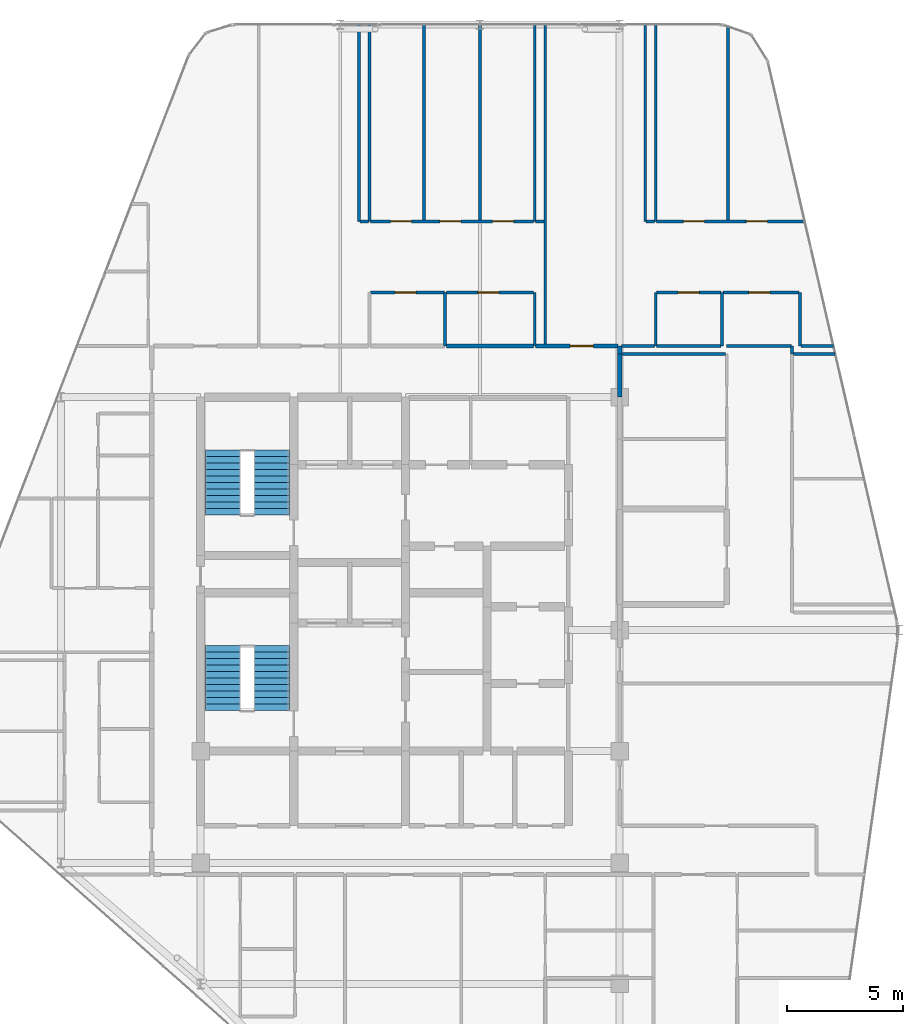
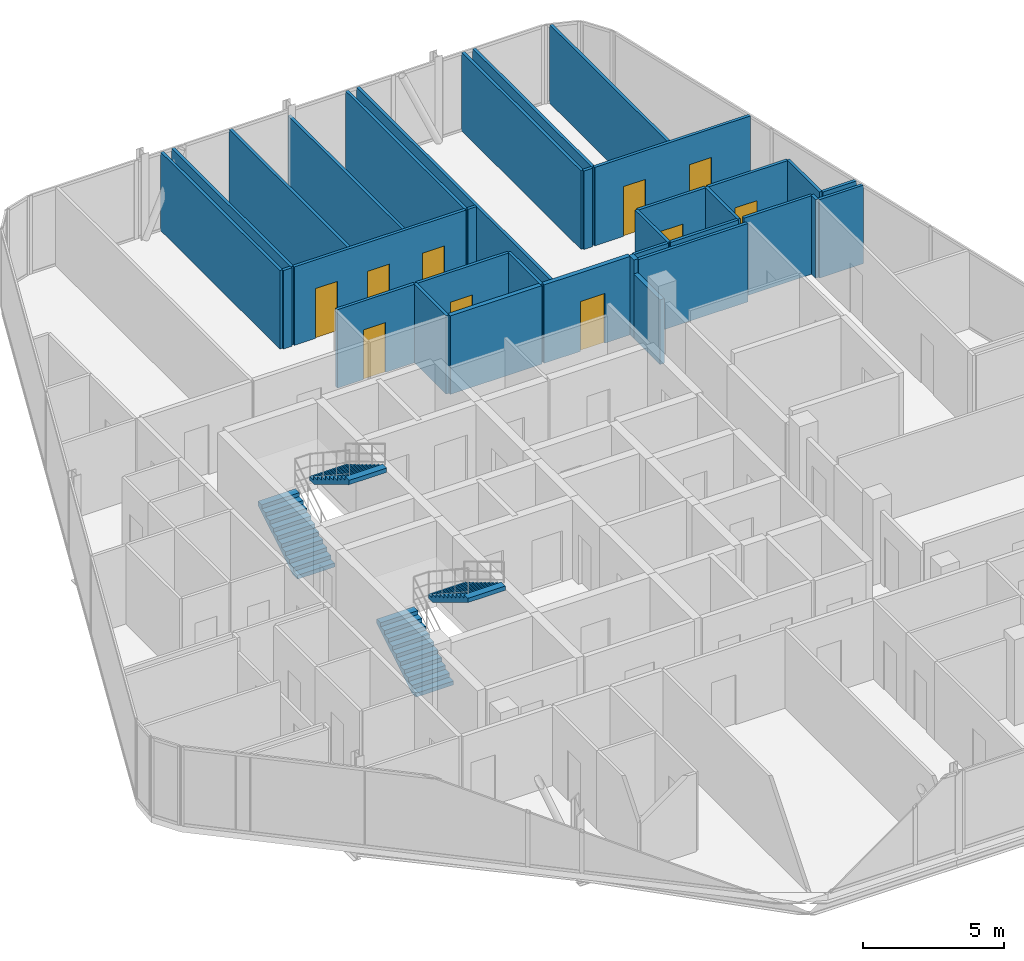
# One storey, part 26 of 27: 34 walls, 10 doors, 4 stair flights, 10 openings, 2 elements without a shape of their own.
"""IFC4 building model written with IfcOpenShell, lengths in metres."""

from ifc_helpers import new_model, si_unit, direction, frame, frame_2d, origin, place, context, subcontext, project, spatial, polyline, rectangle, outline, extrude, material, layer, layer_set, type_object, element, fill, aggregate, save


model = new_model("IFC4")

# Units and contexts
model_context = context("Model", 3, precision=1e-05, world=origin(), true_north=direction((0.0, 1.0)))
body_context = subcontext(model_context, "Body", "Model", "MODEL_VIEW")
ifc_project = project(units=[si_unit("LENGTHUNIT", "METRE"), si_unit("AREAUNIT", "SQUARE_METRE"), si_unit("VOLUMEUNIT", "CUBIC_METRE"), si_unit("PLANEANGLEUNIT", "RADIAN"), si_unit("MASSUNIT", "GRAM", prefix="KILO")], contexts=[model_context])

# Site, building, storey
site_placement = place(None, origin())
site = spatial("IfcSite", under=ifc_project, at=site_placement, CompositionType="ELEMENT")
building_placement = place(site_placement, origin())
building = spatial("IfcBuilding", under=site, at=building_placement, Name="Keshet Zoharim Tower", CompositionType="ELEMENT")
storey_placement = place(building_placement, frame((0.0, 0.0, 262.10009765625)))
storey = spatial("IfcBuildingStorey", under=building, at=storey_placement, Name="L65", CompositionType="ELEMENT", Elevation=262.10009765625)

# Walls
ifc_material_1 = material(Name="Gypsum Plasterboard", Category="gypsum")
ifc_layer_1 = layer(ifc_material_1, 0.179931640625)
ifc_layer_set_1 = layer_set([ifc_layer_1], Name="Gypsum Plasterboard")
wall_type_1 = type_object("IfcWallType", Name="WL-CORR-180", PredefinedType="STANDARD", material=ifc_layer_set_1)
wall_1_placement = place(storey_placement, frame((33.0, 39.75, 0.0), z_axis=(0.0, 0.0, 1.0), x_axis=(0.0, 1.0, 0.0)))
element("IfcWall", 1, at=wall_1_placement, inside=storey, type_object=wall_type_1, Name="L65 Interior Wall 076", PredefinedType="STANDARD", context=body_context, shape_type="SweptSolid", body=[
    extrude(rectangle(XDim=0.35009765625, YDim=0.179931640625, at=frame_2d((0.175048828125, 0.0))), origin(), (0.0, 0.0, 1.0), 3.389892578125),
])
wall_2_placement = place(storey_placement, frame((25.56103515625, 40.10009765625, 0.0), z_axis=(0.0, 0.0, 1.0), x_axis=(1.0, 0.0, 0.0)))
element("IfcWall", 2, at=wall_2_placement, inside=storey, type_object=wall_type_1, Name="L65 Interior Wall 168", PredefinedType="STANDARD", context=body_context, shape_type="SweptSolid", body=[
    extrude(rectangle(XDim=3.743896484375, YDim=0.179931640625, at=frame_2d((1.8720703125, 0.0))), origin(), (0.0, 0.0, 1.0), 3.389892578125),
])

# Wall, opening, door
wall_3_placement = place(storey_placement, frame((29.39501953125, 40.10009765625, 0.0), z_axis=(0.0, 0.0, 1.0), x_axis=(1.0, 0.0, 0.0)))
wall_3 = element("IfcWall", 3, at=wall_3_placement, inside=storey, type_object=wall_type_1, Name="L65 Interior Wall 169", PredefinedType="STANDARD", context=body_context, shape_type="SweptSolid", body=[
    extrude(rectangle(XDim=3.530029296875, YDim=0.179931640625, at=frame_2d((1.76513671875, 0.0))), origin(), (0.0, 0.0, 1.0), 3.389892578125),
])
opening_1_placement = place(wall_3_placement, frame((1.47998046875, 0.0, 0.0)))
opening_1 = element("IfcOpeningElement", 4, at=opening_1_placement, cuts=wall_3, Name="Opening D-F310", PredefinedType="OPENING", context=body_context, shape_type="SweptSolid", body=[
    extrude(rectangle(XDim=1.0, YDim=2.14990234375, at=frame_2d((0.5, 1.074951171875))), frame((0.0, 0.10009765625, 0.0), z_axis=(0.0, -1.0, 0.0), x_axis=(1.0, 0.0, 0.0)), (0.0, 0.0, 1.0), 0.199951171875),
])
ifc_material_2 = material(Name="Hardwood Timber", Category="wood")
door_type_1 = type_object("IfcDoorType", Name="DR-FD30-100", OperationType="NOTDEFINED", PredefinedType="DOOR", material=ifc_material_2)
door_1_placement = place(opening_1_placement, origin())
door_1 = element("IfcDoor", 5, at=door_1_placement, inside=storey, type_object=door_type_1, Name="Apartment 6506 Entrance Door", OperationType="SINGLE_SWING_LEFT", OverallHeight=2.14990234375, OverallWidth=1.0, PredefinedType="DOOR", context=body_context, shape_type="SweptSolid", body=[
    extrude(rectangle(XDim=1.0, YDim=2.14990234375, at=frame_2d((0.5, 1.074951171875))), frame((0.0, 0.02490234375, 0.0), z_axis=(0.0, -1.0, 0.0), x_axis=(1.0, 0.0, 0.0)), (0.0, 0.0, 1.0), 0.050048828125),
])
fill(opening_1, door_1)

# Walls
wall_4_placement = place(storey_placement, frame((33.0, 37.89990234375, 0.0), z_axis=(0.0, 0.0, 1.0), x_axis=(0.0, 1.0, 0.0)))
element("IfcWall", 6, at=wall_4_placement, inside=storey, type_object=wall_type_1, Name="L65 Interior Wall 075 Part 2", PredefinedType="STANDARD", context=body_context, shape_type="SweptSolid", body=[
    extrude(rectangle(XDim=1.85009765625, YDim=0.179931640625, at=frame_2d((0.925048828125, 0.0))), origin(), (0.0, 0.0, 1.0), 2.789794921875),
])
ifc_layer_2 = layer(ifc_material_1, 0.1201171875)
ifc_layer_set_2 = layer_set([ifc_layer_2], Name="Gypsum Plasterboard")
wall_type_2 = type_object("IfcWallType", Name="WL-PART-120", PredefinedType="PARTITIONING", material=ifc_layer_set_2)
for number, where, z_axis, x_axis, name in (
    (7, (21.800048828125, 45.449951171875, 0.0), (0.0, 0.0, 1.0), (0.0, 1.0, 0.0), "L65 Interior Wall 038"),
    (8, (22.25, 45.449951171875, 0.0), (0.0, 0.0, 1.0), (0.0, 1.0, 0.0), "L65 Interior Wall 040"),
    (9, (24.60009765625, 45.449951171875, 0.0), (0.0, 0.0, 1.0), (0.0, 1.0, 0.0), "L65 Interior Wall 048"),
):
    element("IfcWall", number, at=place(storey_placement, frame(where, z_axis=z_axis, x_axis=x_axis)), inside=storey, type_object=wall_type_2, Name=name, PredefinedType="PARTITIONING", context=body_context, shape_type="SweptSolid", body=[
        extrude(rectangle(XDim=8.43994140625, YDim=0.1201171875, at=frame_2d((4.219970703125, 0.0))), origin(), (0.0, 0.0, 1.0), 3.389892578125),
    ])
wall_5_placement = place(storey_placement, frame((27.0, 45.449951171875, 0.0), z_axis=(0.0, 0.0, 1.0), x_axis=(0.0, 1.0, 0.0)))
element("IfcWall", 10, at=wall_5_placement, inside=storey, type_object=wall_type_2, Name="L65 Interior Wall 053", PredefinedType="PARTITIONING", context=body_context, shape_type="SweptSolid", body=[
    extrude(rectangle(XDim=8.43994140625, YDim=0.1201171875, at=frame_2d((4.219970703125, 0.0))), origin(), (0.0, 0.0, 1.0), 3.14990234375),
])
wall_6_placement = place(storey_placement, frame((29.35009765625, 45.449951171875, 0.0), z_axis=(0.0, 0.0, 1.0), x_axis=(0.0, 1.0, 0.0)))
element("IfcWall", 11, at=wall_6_placement, inside=storey, type_object=wall_type_2, Name="L65 Interior Wall 060", PredefinedType="PARTITIONING", context=body_context, shape_type="SweptSolid", body=[
    extrude(rectangle(XDim=8.43994140625, YDim=0.1201171875, at=frame_2d((4.219970703125, 0.0))), origin(), (0.0, 0.0, 1.0), 3.389892578125),
])
wall_7_placement = place(storey_placement, frame((29.800048828125, 40.10009765625, 0.0), z_axis=(0.0, 0.0, 1.0), x_axis=(0.0, 1.0, 0.0)))
element("IfcWall", 12, at=wall_7_placement, inside=storey, type_object=wall_type_2, Name="L65 Interior Wall 064", PredefinedType="PARTITIONING", context=body_context, shape_type="SweptSolid", body=[
    extrude(rectangle(XDim=13.789794921875, YDim=0.1201171875, at=frame_2d((6.89501953125, 0.0))), origin(), (0.0, 0.0, 1.0), 3.389892578125),
])
wall_8_placement = place(storey_placement, frame((34.10009765625, 45.449951171875, 0.0), z_axis=(0.0, 0.0, 1.0), x_axis=(0.0, 1.0, 0.0)))
element("IfcWall", 13, at=wall_8_placement, inside=storey, type_object=wall_type_2, Name="L65 Interior Wall 077", PredefinedType="PARTITIONING", context=body_context, shape_type="SweptSolid", body=[
    extrude(rectangle(XDim=8.43994140625, YDim=0.1201171875, at=frame_2d((4.219970703125, 0.0))), origin(), (0.0, 0.0, 1.0), 3.389892578125),
])
wall_9_placement = place(storey_placement, frame((34.550048828125, 40.10009765625, 0.0), z_axis=(0.0, 0.0, 1.0), x_axis=(0.0, 1.0, 0.0)))
element("IfcWall", 14, at=wall_9_placement, inside=storey, type_object=wall_type_2, Name="L65 Interior Wall 081", PredefinedType="PARTITIONING", context=body_context, shape_type="SweptSolid", body=[
    extrude(rectangle(XDim=2.2998046875, YDim=0.1201171875, at=frame_2d((1.14990234375, 0.0))), origin(), (0.0, 0.0, 1.0), 3.389892578125),
])
wall_10_placement = place(storey_placement, frame((34.550048828125, 45.449951171875, 0.0), z_axis=(0.0, 0.0, 1.0), x_axis=(0.0, 1.0, 0.0)))
element("IfcWall", 15, at=wall_10_placement, inside=storey, type_object=wall_type_2, Name="L65 Interior Wall 082", PredefinedType="PARTITIONING", context=body_context, shape_type="SweptSolid", body=[
    extrude(rectangle(XDim=8.43994140625, YDim=0.1201171875, at=frame_2d((4.219970703125, 0.0))), origin(), (0.0, 0.0, 1.0), 3.389892578125),
])
wall_11_placement = place(storey_placement, frame((37.64990234375, 45.449951171875, 0.0), z_axis=(0.0, 0.0, 1.0), x_axis=(0.0, 1.0, 0.0)))
element("IfcWall", 16, at=wall_11_placement, inside=storey, type_object=wall_type_2, Name="L65 Interior Wall 087", PredefinedType="PARTITIONING", context=body_context, shape_type="SweptSolid", body=[
    extrude(rectangle(XDim=8.35595703125, YDim=0.1201171875, at=frame_2d((4.177978515625, 0.0))), origin(), (0.0, 0.0, 1.0), 3.389892578125),
])
wall_12_placement = place(storey_placement, frame((40.39990234375, 39.75, 0.0), z_axis=(0.0, 0.0, 1.0), x_axis=(0.0, 1.0, 0.0)))
element("IfcWall", 17, at=wall_12_placement, inside=storey, type_object=wall_type_2, Name="L65 Interior Wall 093", PredefinedType="PARTITIONING", context=body_context, shape_type="SweptSolid", body=[
    extrude(rectangle(XDim=0.35009765625, YDim=0.1201171875, at=frame_2d((0.175048828125, 0.0))), origin(), (0.0, 0.0, 1.0), 3.389892578125),
])
wall_13_placement = place(storey_placement, frame((33.074951171875, 39.75, 0.0), z_axis=(0.0, 0.0, 1.0), x_axis=(1.0, 0.0, 0.0)))
element("IfcWall", 18, at=wall_13_placement, inside=storey, type_object=wall_type_2, Name="L65 Interior Wall 162", PredefinedType="PARTITIONING", context=body_context, shape_type="SweptSolid", body=[
    extrude(rectangle(XDim=4.4599609375, YDim=0.1201171875, at=frame_2d((2.22998046875, 0.0))), origin(), (0.0, 0.0, 1.0), 3.389892578125),
])
wall_14_placement = place(storey_placement, frame((40.465087890625, 39.75, 0.0), z_axis=(0.0, 0.0, 1.0), x_axis=(1.0, 0.0, 0.0)))
element("IfcWall", 19, at=wall_14_placement, inside=storey, type_object=wall_type_2, Name="L65 Interior Wall 163", PredefinedType="PARTITIONING", context=body_context, shape_type="SweptSolid", body=[
    extrude(rectangle(XDim=1.789794921875, YDim=0.1201171875, at=frame_2d((0.89501953125, 0.0))), origin(), (0.0, 0.0, 1.0), 3.389892578125),
])
wall_15_placement = place(storey_placement, frame((33.074951171875, 40.10009765625, 0.0), z_axis=(0.0, 0.0, 1.0), x_axis=(1.0, 0.0, 0.0)))
element("IfcWall", 20, at=wall_15_placement, inside=storey, type_object=wall_type_2, Name="L65 Interior Wall 170", PredefinedType="PARTITIONING", context=body_context, shape_type="SweptSolid", body=[
    extrude(rectangle(XDim=1.41015625, YDim=0.1201171875, at=frame_2d((0.705078125, 0.0))), origin(), (0.0, 0.0, 1.0), 3.389892578125),
])
wall_16_placement = place(storey_placement, frame((34.574951171875, 40.10009765625, 0.0), z_axis=(0.0, 0.0, 1.0), x_axis=(1.0, 0.0, 0.0)))
element("IfcWall", 21, at=wall_16_placement, inside=storey, type_object=wall_type_2, Name="L65 Interior Wall 171", PredefinedType="PARTITIONING", context=body_context, shape_type="SweptSolid", body=[
    extrude(rectangle(XDim=2.77197265625, YDim=0.1201171875, at=frame_2d((1.385986328125, 0.0))), origin(), (0.0, 0.0, 1.0), 3.389892578125),
])
wall_17_placement = place(storey_placement, frame((40.7958984375, 40.10009765625, 0.0), z_axis=(0.0, 0.0, 1.0), x_axis=(1.0, 0.0, 0.0)))
element("IfcWall", 22, at=wall_17_placement, inside=storey, type_object=wall_type_2, Name="L65 Interior Wall 173", PredefinedType="PARTITIONING", context=body_context, shape_type="SweptSolid", body=[
    extrude(rectangle(XDim=1.379150390625, YDim=0.1201171875, at=frame_2d((0.689453125, 0.0))), origin(), (0.0, 0.0, 1.0), 3.389892578125),
])

# Wall, opening, door
wall_18_placement = place(storey_placement, frame((22.294921875, 42.39990234375, 0.0), z_axis=(0.0, 0.0, 1.0), x_axis=(1.0, 0.0, 0.0)))
wall_18 = element("IfcWall", 23, at=wall_18_placement, inside=storey, type_object=wall_type_2, Name="L65 Interior Wall 174", PredefinedType="PARTITIONING", context=body_context, shape_type="SweptSolid", body=[
    extrude(rectangle(XDim=3.176025390625, YDim=0.1201171875, at=frame_2d((1.587890625, 0.0))), origin(), (0.0, 0.0, 1.0), 3.389892578125),
])
opening_2_placement = place(wall_18_placement, frame((1.06591796875, 0.0, 0.0)))
opening_2 = element("IfcOpeningElement", 24, at=opening_2_placement, cuts=wall_18, Name="Opening D-IN90", PredefinedType="OPENING", context=body_context, shape_type="SweptSolid", body=[
    extrude(rectangle(XDim=0.89990234375, YDim=2.14990234375, at=frame_2d((0.449951171875, 1.074951171875))), frame((0.0, 0.070068359375, 0.0), z_axis=(0.0, -1.0, 0.0), x_axis=(1.0, 0.0, 0.0)), (0.0, 0.0, 1.0), 0.14013671875),
])
door_type_2 = type_object("IfcDoorType", Name="DR-INT-090", OperationType="NOTDEFINED", PredefinedType="DOOR", material=ifc_material_2)
door_2_placement = place(opening_2_placement, origin())
door_2 = element("IfcDoor", 25, at=door_2_placement, inside=storey, type_object=door_type_2, Name="Apartment 6505 Kitchen Door", OperationType="SINGLE_SWING_RIGHT", OverallHeight=2.14990234375, OverallWidth=0.89990234375, PredefinedType="DOOR", context=body_context, shape_type="SweptSolid", body=[
    extrude(rectangle(XDim=0.89990234375, YDim=2.14990234375, at=frame_2d((0.449951171875, 1.074951171875))), frame((0.0, 0.02490234375, 0.0), z_axis=(0.0, -1.0, 0.0), x_axis=(1.0, 0.0, 0.0)), (0.0, 0.0, 1.0), 0.050048828125),
])
fill(opening_2, door_2)

wall_19_placement = place(storey_placement, frame((34.574951171875, 42.39990234375, 0.0), z_axis=(0.0, 0.0, 1.0), x_axis=(1.0, 0.0, 0.0)))
wall_19 = element("IfcWall", 26, at=wall_19_placement, inside=storey, type_object=wall_type_2, Name="L65 Interior Wall 176", PredefinedType="PARTITIONING", context=body_context, shape_type="SweptSolid", body=[
    extrude(rectangle(XDim=2.77197265625, YDim=0.1201171875, at=frame_2d((1.385986328125, 0.0))), origin(), (0.0, 0.0, 1.0), 3.389892578125),
])
opening_3_placement = place(wall_19_placement, frame((0.93603515625, 0.0, 0.0)))
opening_3 = element("IfcOpeningElement", 27, at=opening_3_placement, cuts=wall_19, Name="Opening D-IN90", PredefinedType="OPENING", context=body_context, shape_type="SweptSolid", body=[
    extrude(rectangle(XDim=0.89990234375, YDim=2.14990234375, at=frame_2d((0.449951171875, 1.074951171875))), frame((0.0, 0.070068359375, 0.0), z_axis=(0.0, -1.0, 0.0), x_axis=(1.0, 0.0, 0.0)), (0.0, 0.0, 1.0), 0.14013671875),
])
door_3_placement = place(opening_3_placement, origin())
door_3 = element("IfcDoor", 28, at=door_3_placement, inside=storey, type_object=door_type_2, Name="Apartment 6506 Kitchen Door", OperationType="SINGLE_SWING_RIGHT", OverallHeight=2.14990234375, OverallWidth=0.89990234375, PredefinedType="DOOR", context=body_context, shape_type="SweptSolid", body=[
    extrude(rectangle(XDim=0.89990234375, YDim=2.14990234375, at=frame_2d((0.449951171875, 1.074951171875))), frame((0.0, 0.02490234375, 0.0), z_axis=(0.0, -1.0, 0.0), x_axis=(1.0, 0.0, 0.0)), (0.0, 0.0, 1.0), 0.050048828125),
])
fill(opening_3, door_3)

# Wall
wall_20_placement = place(storey_placement, frame((21.844970703125, 45.449951171875, 0.0), z_axis=(0.0, 0.0, 1.0), x_axis=(1.0, 0.0, 0.0)))
element("IfcWall", 29, at=wall_20_placement, inside=storey, type_object=wall_type_2, Name="L65 Interior Wall 179", PredefinedType="PARTITIONING", context=body_context, shape_type="SweptSolid", body=[
    extrude(rectangle(XDim=0.360107421875, YDim=0.1201171875, at=frame_2d((0.18017578125, 0.0))), origin(), (0.0, 0.0, 1.0), 3.389892578125),
])

# Wall, openings, doors
wall_21_placement = place(storey_placement, frame((22.294921875, 45.449951171875, 0.0), z_axis=(0.0, 0.0, 1.0), x_axis=(1.0, 0.0, 0.0)))
wall_21 = element("IfcWall", 30, at=wall_21_placement, inside=storey, type_object=wall_type_2, Name="L65 Interior Wall 180", PredefinedType="PARTITIONING", context=body_context, shape_type="SweptSolid", body=[
    extrude(rectangle(XDim=7.010009765625, YDim=0.1201171875, at=frame_2d((3.5048828125, 0.0))), origin(), (0.0, 0.0, 1.0), 3.389892578125),
])
opening_4_placement = place(wall_21_placement, frame((0.863037109375, 0.0, 0.0)))
opening_4 = element("IfcOpeningElement", 31, at=opening_4_placement, cuts=wall_21, Name="Opening D-IN90", PredefinedType="OPENING", context=body_context, shape_type="SweptSolid", body=[
    extrude(rectangle(XDim=0.89990234375, YDim=2.14990234375, at=frame_2d((0.449951171875, 1.074951171875))), frame((0.0, 0.070068359375, 0.0), z_axis=(0.0, -1.0, 0.0), x_axis=(1.0, 0.0, 0.0)), (0.0, 0.0, 1.0), 0.14013671875),
])
opening_5_placement = place(wall_21_placement, frame((2.985107421875, 0.0, 0.0)))
opening_5 = element("IfcOpeningElement", 32, at=opening_5_placement, cuts=wall_21, Name="Opening D-IN90", PredefinedType="OPENING", context=body_context, shape_type="SweptSolid", body=[
    extrude(rectangle(XDim=0.89990234375, YDim=2.14990234375, at=frame_2d((0.449951171875, 1.074951171875))), frame((0.0, 0.070068359375, 0.0), z_axis=(0.0, -1.0, 0.0), x_axis=(1.0, 0.0, 0.0)), (0.0, 0.0, 1.0), 0.14013671875),
])
opening_6_placement = place(wall_21_placement, frame((5.24609375, 0.0, 0.0)))
opening_6 = element("IfcOpeningElement", 33, at=opening_6_placement, cuts=wall_21, Name="Opening D-IN90", PredefinedType="OPENING", context=body_context, shape_type="SweptSolid", body=[
    extrude(rectangle(XDim=0.89990234375, YDim=2.14990234375, at=frame_2d((0.449951171875, 1.074951171875))), frame((0.0, 0.070068359375, 0.0), z_axis=(0.0, -1.0, 0.0), x_axis=(1.0, 0.0, 0.0)), (0.0, 0.0, 1.0), 0.14013671875),
])
door_4_placement = place(opening_4_placement, origin())
door_4 = element("IfcDoor", 34, at=door_4_placement, inside=storey, type_object=door_type_2, Name="Apartment 6505 Bedroom 1 Door", OperationType="SINGLE_SWING_RIGHT", OverallHeight=2.14990234375, OverallWidth=0.89990234375, PredefinedType="DOOR", context=body_context, shape_type="SweptSolid", body=[
    extrude(rectangle(XDim=0.89990234375, YDim=2.14990234375, at=frame_2d((0.449951171875, 1.074951171875))), frame((0.0, 0.02490234375, 0.0), z_axis=(0.0, -1.0, 0.0), x_axis=(1.0, 0.0, 0.0)), (0.0, 0.0, 1.0), 0.050048828125),
])
fill(opening_4, door_4)
door_5_placement = place(opening_5_placement, origin())
door_5 = element("IfcDoor", 35, at=door_5_placement, inside=storey, type_object=door_type_2, Name="Apartment 6505 Bedroom 2 Door", OperationType="SINGLE_SWING_LEFT", OverallHeight=2.14990234375, OverallWidth=0.89990234375, PredefinedType="DOOR", context=body_context, shape_type="SweptSolid", body=[
    extrude(rectangle(XDim=0.89990234375, YDim=2.14990234375, at=frame_2d((0.449951171875, 1.074951171875))), frame((0.0, 0.02490234375, 0.0), z_axis=(0.0, -1.0, 0.0), x_axis=(1.0, 0.0, 0.0)), (0.0, 0.0, 1.0), 0.050048828125),
])
fill(opening_5, door_5)
door_6_placement = place(opening_6_placement, origin())
door_6 = element("IfcDoor", 36, at=door_6_placement, inside=storey, type_object=door_type_2, Name="Apartment 6505 Bedroom 3 Door", OperationType="SINGLE_SWING_RIGHT", OverallHeight=2.14990234375, OverallWidth=0.89990234375, PredefinedType="DOOR", context=body_context, shape_type="SweptSolid", body=[
    extrude(rectangle(XDim=0.89990234375, YDim=2.14990234375, at=frame_2d((0.449951171875, 1.074951171875))), frame((0.0, 0.02490234375, 0.0), z_axis=(0.0, -1.0, 0.0), x_axis=(1.0, 0.0, 0.0)), (0.0, 0.0, 1.0), 0.050048828125),
])
fill(opening_6, door_6)

# Walls
wall_22_placement = place(storey_placement, frame((29.39501953125, 45.449951171875, 0.0), z_axis=(0.0, 0.0, 1.0), x_axis=(1.0, 0.0, 0.0)))
element("IfcWall", 37, at=wall_22_placement, inside=storey, type_object=wall_type_2, Name="L65 Interior Wall 181", PredefinedType="PARTITIONING", context=body_context, shape_type="SweptSolid", body=[
    extrude(rectangle(XDim=0.35986328125, YDim=0.1201171875, at=frame_2d((0.179931640625, 0.0))), origin(), (0.0, 0.0, 1.0), 3.389892578125),
])
wall_23_placement = place(storey_placement, frame((34.125, 45.449951171875, 0.0), z_axis=(0.0, 0.0, 1.0), x_axis=(1.0, 0.0, 0.0)))
element("IfcWall", 38, at=wall_23_placement, inside=storey, type_object=wall_type_2, Name="L65 Interior Wall 182", PredefinedType="PARTITIONING", context=body_context, shape_type="SweptSolid", body=[
    extrude(rectangle(XDim=0.360107421875, YDim=0.1201171875, at=frame_2d((0.18017578125, 0.0))), origin(), (0.0, 0.0, 1.0), 3.389892578125),
])

# Wall, openings, doors
wall_24_placement = place(storey_placement, frame((34.574951171875, 45.449951171875, 0.0), z_axis=(0.0, 0.0, 1.0), x_axis=(1.0, 0.0, 0.0)))
wall_24 = element("IfcWall", 39, at=wall_24_placement, inside=storey, type_object=wall_type_2, Name="L65 Interior Wall 183", PredefinedType="PARTITIONING", context=body_context, shape_type="SweptSolid", body=[
    extrude(rectangle(XDim=6.364990234375, YDim=0.1201171875, at=frame_2d((3.1826171875, 0.0))), origin(), (0.0, 0.0, 1.0), 3.389892578125),
])
opening_7_placement = place(wall_24_placement, frame((1.160888671875, 0.0, 0.0)))
opening_7 = element("IfcOpeningElement", 40, at=opening_7_placement, cuts=wall_24, Name="Opening D-IN90", PredefinedType="OPENING", context=body_context, shape_type="SweptSolid", body=[
    extrude(rectangle(XDim=0.89990234375, YDim=2.14990234375, at=frame_2d((0.449951171875, 1.074951171875))), frame((0.0, 0.070068359375, 0.0), z_axis=(0.0, -1.0, 0.0), x_axis=(1.0, 0.0, 0.0)), (0.0, 0.0, 1.0), 0.14013671875),
])
opening_8_placement = place(wall_24_placement, frame((3.868896484375, 0.0, 0.0)))
opening_8 = element("IfcOpeningElement", 41, at=opening_8_placement, cuts=wall_24, Name="Opening D-IN90", PredefinedType="OPENING", context=body_context, shape_type="SweptSolid", body=[
    extrude(rectangle(XDim=0.89990234375, YDim=2.14990234375, at=frame_2d((0.449951171875, 1.074951171875))), frame((0.0, 0.070068359375, 0.0), z_axis=(0.0, -1.0, 0.0), x_axis=(1.0, 0.0, 0.0)), (0.0, 0.0, 1.0), 0.14013671875),
])
door_7_placement = place(opening_7_placement, origin())
door_7 = element("IfcDoor", 42, at=door_7_placement, inside=storey, type_object=door_type_2, Name="Apartment 6506 Bedroom 1 Door", OperationType="SINGLE_SWING_LEFT", OverallHeight=2.14990234375, OverallWidth=0.89990234375, PredefinedType="DOOR", context=body_context, shape_type="SweptSolid", body=[
    extrude(rectangle(XDim=0.89990234375, YDim=2.14990234375, at=frame_2d((0.449951171875, 1.074951171875))), frame((0.0, 0.02490234375, 0.0), z_axis=(0.0, -1.0, 0.0), x_axis=(1.0, 0.0, 0.0)), (0.0, 0.0, 1.0), 0.050048828125),
])
fill(opening_7, door_7)
door_8_placement = place(opening_8_placement, origin())
door_8 = element("IfcDoor", 43, at=door_8_placement, inside=storey, type_object=door_type_2, Name="Apartment 6506 Bedroom 2 Door", OperationType="SINGLE_SWING_RIGHT", OverallHeight=2.14990234375, OverallWidth=0.89990234375, PredefinedType="DOOR", context=body_context, shape_type="SweptSolid", body=[
    extrude(rectangle(XDim=0.89990234375, YDim=2.14990234375, at=frame_2d((0.449951171875, 1.074951171875))), frame((0.0, 0.02490234375, 0.0), z_axis=(0.0, -1.0, 0.0), x_axis=(1.0, 0.0, 0.0)), (0.0, 0.0, 1.0), 0.050048828125),
])
fill(opening_8, door_8)

# Walls
ifc_layer_3 = layer(ifc_material_1, 0.1201171875)
ifc_layer_set_3 = layer_set([ifc_layer_3], Name="Gypsum Plasterboard")
wall_type_3 = type_object("IfcWallType", Name="WL-WET-120", PredefinedType="PARTITIONING", material=ifc_layer_set_3)
for number, where, z_axis, x_axis, name in (
    (44, (25.5, 40.10009765625, 0.0), (0.0, 0.0, 1.0), (0.0, 1.0, 0.0), "L65 Interior Wall 049"),
    (45, (29.35009765625, 40.10009765625, 0.0), (0.0, 0.0, 1.0), (0.0, 1.0, 0.0), "L65 Interior Wall 059"),
    (46, (37.39990234375, 40.10009765625, 0.0), (0.0, 0.0, 1.0), (0.0, 1.0, 0.0), "L65 Interior Wall 083"),
    (47, (40.75, 40.10009765625, 0.0), (0.0, 0.0, 1.0), (0.0, 1.0, 0.0), "L65 Interior Wall 094"),
):
    element("IfcWall", number, at=place(storey_placement, frame(where, z_axis=z_axis, x_axis=x_axis)), inside=storey, type_object=wall_type_3, Name=name, PredefinedType="PARTITIONING", context=body_context, shape_type="SweptSolid", body=[
        extrude(rectangle(XDim=2.2998046875, YDim=0.1201171875, at=frame_2d((1.14990234375, 0.0))), origin(), (0.0, 0.0, 1.0), 3.389892578125),
    ])
wall_25_placement = place(storey_placement, frame((37.580078125, 40.10009765625, 0.0), z_axis=(0.0, 0.0, 1.0), x_axis=(1.0, 0.0, 0.0)))
element("IfcWall", 48, at=wall_25_placement, inside=storey, type_object=wall_type_3, Name="L65 Interior Wall 172", PredefinedType="PARTITIONING", context=body_context, shape_type="SweptSolid", body=[
    extrude(rectangle(XDim=2.794921875, YDim=0.1201171875, at=frame_2d((1.3974609375, 0.0))), origin(), (0.0, 0.0, 1.0), 3.389892578125),
])

# Wall, opening, door
wall_26_placement = place(storey_placement, frame((25.56103515625, 42.39990234375, 0.0), z_axis=(0.0, 0.0, 1.0), x_axis=(1.0, 0.0, 0.0)))
wall_26 = element("IfcWall", 49, at=wall_26_placement, inside=storey, type_object=wall_type_3, Name="L65 Interior Wall 175", PredefinedType="PARTITIONING", context=body_context, shape_type="SweptSolid", body=[
    extrude(rectangle(XDim=3.743896484375, YDim=0.1201171875, at=frame_2d((1.8720703125, 0.0))), origin(), (0.0, 0.0, 1.0), 3.389892578125),
])
opening_9_placement = place(wall_26_placement, frame((1.35107421875, 0.0, 0.0)))
opening_9 = element("IfcOpeningElement", 50, at=opening_9_placement, cuts=wall_26, Name="Opening D-WT90", PredefinedType="OPENING", context=body_context, shape_type="SweptSolid", body=[
    extrude(rectangle(XDim=0.89990234375, YDim=2.10009765625, at=frame_2d((0.449951171875, 1.050048828125))), frame((0.0, 0.070068359375, 0.0), z_axis=(0.0, -1.0, 0.0), x_axis=(1.0, 0.0, 0.0)), (0.0, 0.0, 1.0), 0.14013671875),
])
door_type_3 = type_object("IfcDoorType", Name="DR-WET-090", OperationType="NOTDEFINED", PredefinedType="DOOR", material=ifc_material_2)
door_9_placement = place(opening_9_placement, origin())
door_9 = element("IfcDoor", 51, at=door_9_placement, inside=storey, type_object=door_type_3, Name="Apartment 6505 Bathroom Door", OperationType="SINGLE_SWING_LEFT", OverallHeight=2.10009765625, OverallWidth=0.89990234375, PredefinedType="DOOR", context=body_context, shape_type="SweptSolid", body=[
    extrude(rectangle(XDim=0.89990234375, YDim=2.10009765625, at=frame_2d((0.449951171875, 1.050048828125))), frame((0.0, 0.02490234375, 0.0), z_axis=(0.0, -1.0, 0.0), x_axis=(1.0, 0.0, 0.0)), (0.0, 0.0, 1.0), 0.050048828125),
])
fill(opening_9, door_9)

wall_27_placement = place(storey_placement, frame((37.43701171875, 42.39990234375, 0.0), z_axis=(0.0, 0.0, 1.0), x_axis=(1.0, 0.0, 0.0)))
wall_27 = element("IfcWall", 52, at=wall_27_placement, inside=storey, type_object=wall_type_3, Name="L65 Interior Wall 177", PredefinedType="PARTITIONING", context=body_context, shape_type="SweptSolid", body=[
    extrude(rectangle(XDim=3.26904296875, YDim=0.1201171875, at=frame_2d((1.634521484375, 0.0))), origin(), (0.0, 0.0, 1.0), 3.389892578125),
])
opening_10_placement = place(wall_27_placement, frame((1.110107421875, 0.0, 0.0)))
opening_10 = element("IfcOpeningElement", 53, at=opening_10_placement, cuts=wall_27, Name="Opening D-WT90", PredefinedType="OPENING", context=body_context, shape_type="SweptSolid", body=[
    extrude(rectangle(XDim=0.89990234375, YDim=2.10009765625, at=frame_2d((0.449951171875, 1.050048828125))), frame((0.0, 0.070068359375, 0.0), z_axis=(0.0, -1.0, 0.0), x_axis=(1.0, 0.0, 0.0)), (0.0, 0.0, 1.0), 0.14013671875),
])
door_10_placement = place(opening_10_placement, origin())
door_10 = element("IfcDoor", 54, at=door_10_placement, inside=storey, type_object=door_type_3, Name="Apartment 6506 Bathroom Door", OperationType="SINGLE_SWING_LEFT", OverallHeight=2.10009765625, OverallWidth=0.89990234375, PredefinedType="DOOR", context=body_context, shape_type="SweptSolid", body=[
    extrude(rectangle(XDim=0.89990234375, YDim=2.10009765625, at=frame_2d((0.449951171875, 1.050048828125))), frame((0.0, 0.02490234375, 0.0), z_axis=(0.0, -1.0, 0.0), x_axis=(1.0, 0.0, 0.0)), (0.0, 0.0, 1.0), 0.050048828125),
])
fill(opening_10, door_10)

# Stair, stair flights
ifc_material_3 = material(Name="Concrete C50/60", Category="concrete")
stair_type = type_object("IfcStairType", Name="STR-EXIT-135", PredefinedType="HALF_TURN_STAIR", material=ifc_material_3)
stair_1_placement = place(storey_placement, origin())
stair_1 = element("IfcStair", 55, at=stair_1_placement, inside=storey, type_object=stair_type, Name="L65 Enclosed Exit Stair ST-01", PredefinedType="HALF_TURN_STAIR")
stair_flight_type = type_object("IfcStairFlightType", Name="FLT-PRE-135", PredefinedType="STRAIGHT", material=ifc_material_3)
stair_flight_1_placement = place(storey_placement, frame((15.945068359375, 24.43994140625, 0.0), z_axis=(0.0, 0.0, 1.0), x_axis=(0.0, 1.0, 0.0)))
stair_flight_1 = element("IfcStairFlight", 56, at=stair_flight_1_placement, type_object=stair_flight_type, Name="ST-01 flight 1", NumberOfRisers=11, NumberOfTreads=10, PredefinedType="STRAIGHT", RiserHeight=0.168182, TreadLength=0.28, context=body_context, shape_type="SweptSolid", body=[
    extrude(outline(polyline([(0.0, 0.0), (0.0, 0.168212890625), (0.280029296875, 0.168212890625), (0.280029296875, 0.33642578125), (0.56005859375, 0.33642578125), (0.56005859375, 0.504638671875), (0.840087890625, 0.504638671875), (0.840087890625, 0.672607421875), (1.1201171875, 0.672607421875), (1.1201171875, 0.8408203125), (1.39990234375, 0.8408203125), (1.39990234375, 1.009033203125), (1.679931640625, 1.009033203125), (1.679931640625, 1.17724609375), (1.9599609375, 1.17724609375), (1.9599609375, 1.345458984375), (2.239990234375, 1.345458984375), (2.239990234375, 1.513671875), (2.52001953125, 1.513671875), (2.52001953125, 1.681884765625), (2.800048828125, 1.681884765625), (2.800048828125, 1.85009765625), (2.800048828125, 1.495361328125), (0.310546875, 0.0), (0.0, 0.0)])), frame((0.0, 0.76513671875, 0.0), z_axis=(0.0, -1.0, 0.0), x_axis=(1.0, 0.0, 0.0)), (0.0, 0.0, 1.0), 1.530029296875),
])
stair_flight_2_placement = place(storey_placement, frame((18.054931640625, 27.239990234375, 1.849853515625), z_axis=(0.0, 0.0, 1.0), x_axis=(0.0, -1.0, 0.0)))
stair_flight_2 = element("IfcStairFlight", 57, at=stair_flight_2_placement, type_object=stair_flight_type, Name="ST-01 flight 2", NumberOfRisers=11, NumberOfTreads=10, PredefinedType="STRAIGHT", RiserHeight=0.168182, TreadLength=0.28, context=body_context, shape_type="SweptSolid", body=[
    extrude(outline(polyline([(0.0, 0.0), (0.0, 0.168212890625), (0.280029296875, 0.168212890625), (0.280029296875, 0.33642578125), (0.56005859375, 0.33642578125), (0.56005859375, 0.504638671875), (0.840087890625, 0.504638671875), (0.840087890625, 0.672607421875), (1.1201171875, 0.672607421875), (1.1201171875, 0.8408203125), (1.39990234375, 0.8408203125), (1.39990234375, 1.009033203125), (1.679931640625, 1.009033203125), (1.679931640625, 1.17724609375), (1.9599609375, 1.17724609375), (1.9599609375, 1.345458984375), (2.239990234375, 1.345458984375), (2.239990234375, 1.513671875), (2.52001953125, 1.513671875), (2.52001953125, 1.681884765625), (2.800048828125, 1.681884765625), (2.800048828125, 1.85009765625), (2.800048828125, 1.495361328125), (0.310546875, 0.0), (0.0, 0.0)])), frame((0.0, 0.76513671875, 0.0), z_axis=(0.0, -1.0, 0.0), x_axis=(1.0, 0.0, 0.0)), (0.0, 0.0, 1.0), 1.530029296875),
])
aggregate(stair_1, [stair_flight_1, stair_flight_2])

stair_2_placement = place(storey_placement, origin())
stair_2 = element("IfcStair", 58, at=stair_2_placement, inside=storey, type_object=stair_type, Name="L65 Enclosed Exit Stair ST-02", PredefinedType="HALF_TURN_STAIR")
stair_flight_3_placement = place(storey_placement, frame((15.945068359375, 32.840087890625, 0.0), z_axis=(0.0, 0.0, 1.0), x_axis=(0.0, 1.0, 0.0)))
stair_flight_3 = element("IfcStairFlight", 59, at=stair_flight_3_placement, type_object=stair_flight_type, Name="ST-02 flight 1", NumberOfRisers=11, NumberOfTreads=10, PredefinedType="STRAIGHT", RiserHeight=0.168182, TreadLength=0.28, context=body_context, shape_type="SweptSolid", body=[
    extrude(outline(polyline([(0.0, 0.0), (0.0, 0.168212890625), (0.280029296875, 0.168212890625), (0.280029296875, 0.33642578125), (0.56005859375, 0.33642578125), (0.56005859375, 0.504638671875), (0.840087890625, 0.504638671875), (0.840087890625, 0.672607421875), (1.1201171875, 0.672607421875), (1.1201171875, 0.8408203125), (1.39990234375, 0.8408203125), (1.39990234375, 1.009033203125), (1.679931640625, 1.009033203125), (1.679931640625, 1.17724609375), (1.9599609375, 1.17724609375), (1.9599609375, 1.345458984375), (2.239990234375, 1.345458984375), (2.239990234375, 1.513671875), (2.52001953125, 1.513671875), (2.52001953125, 1.681884765625), (2.800048828125, 1.681884765625), (2.800048828125, 1.85009765625), (2.800048828125, 1.495361328125), (0.310546875, 0.0), (0.0, 0.0)])), frame((0.0, 0.76513671875, 0.0), z_axis=(0.0, -1.0, 0.0), x_axis=(1.0, 0.0, 0.0)), (0.0, 0.0, 1.0), 1.530029296875),
])
stair_flight_4_placement = place(storey_placement, frame((18.054931640625, 35.639892578125, 1.849853515625), z_axis=(0.0, 0.0, 1.0), x_axis=(0.0, -1.0, 0.0)))
stair_flight_4 = element("IfcStairFlight", 60, at=stair_flight_4_placement, type_object=stair_flight_type, Name="ST-02 flight 2", NumberOfRisers=11, NumberOfTreads=10, PredefinedType="STRAIGHT", RiserHeight=0.168182, TreadLength=0.28, context=body_context, shape_type="SweptSolid", body=[
    extrude(outline(polyline([(0.0, 0.0), (0.0, 0.168212890625), (0.280029296875, 0.168212890625), (0.280029296875, 0.33642578125), (0.56005859375, 0.33642578125), (0.56005859375, 0.504638671875), (0.840087890625, 0.504638671875), (0.840087890625, 0.672607421875), (1.1201171875, 0.672607421875), (1.1201171875, 0.8408203125), (1.39990234375, 0.8408203125), (1.39990234375, 1.009033203125), (1.679931640625, 1.009033203125), (1.679931640625, 1.17724609375), (1.9599609375, 1.17724609375), (1.9599609375, 1.345458984375), (2.239990234375, 1.345458984375), (2.239990234375, 1.513671875), (2.52001953125, 1.513671875), (2.52001953125, 1.681884765625), (2.800048828125, 1.681884765625), (2.800048828125, 1.85009765625), (2.800048828125, 1.495361328125), (0.310546875, 0.0), (0.0, 0.0)])), frame((0.0, 0.76513671875, 0.0), z_axis=(0.0, -1.0, 0.0), x_axis=(1.0, 0.0, 0.0)), (0.0, 0.0, 1.0), 1.530029296875),
])
aggregate(stair_2, [stair_flight_3, stair_flight_4])

save(model, "model.ifc")
